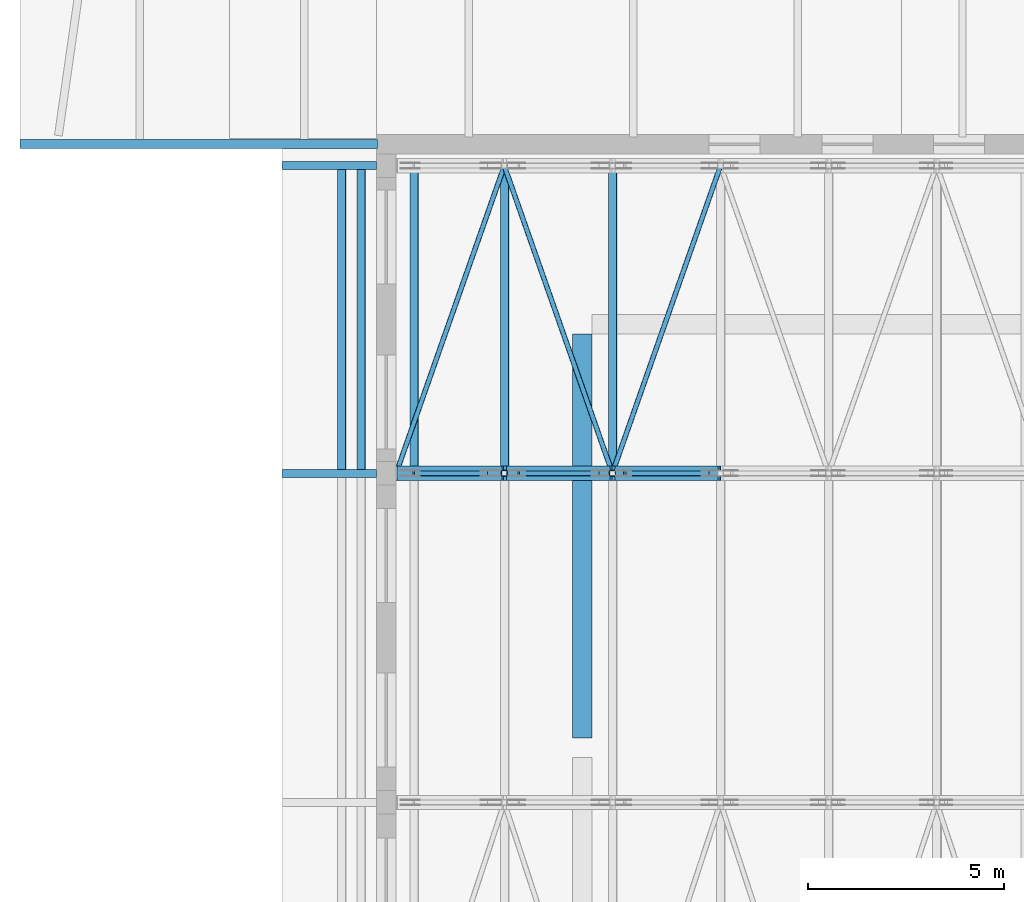
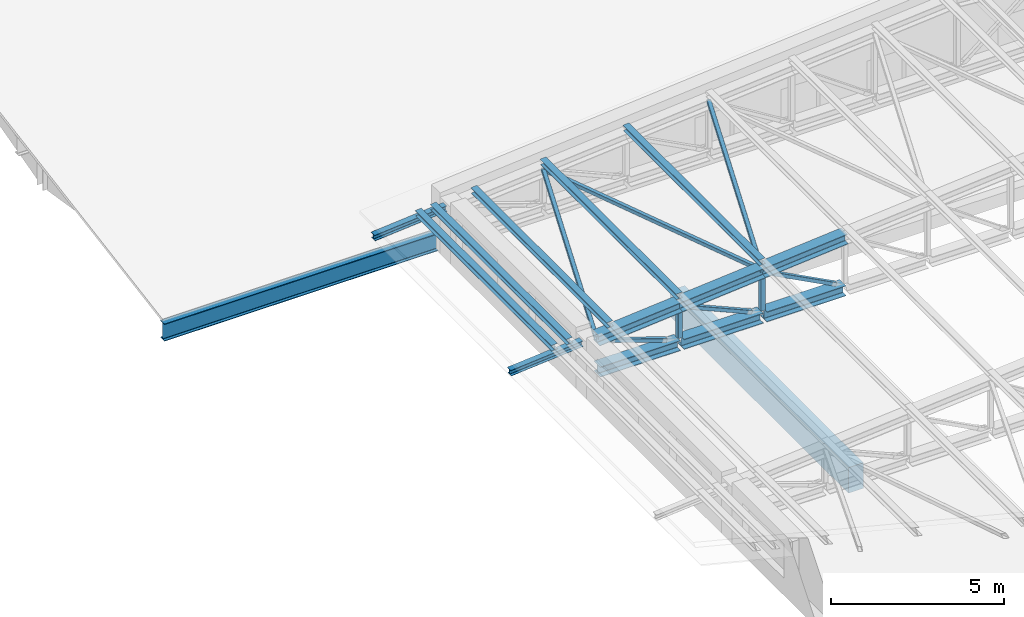
# One storey, part 16 of 60: 21 members, 2 beams.
"""IFC4 building model written with IfcOpenShell, lengths in metres."""

from ifc_helpers import new_model, si_unit, direction, frame, origin, origin_2d, place, context, subcontext, project, spatial, rectangle, hollow_rectangle, i_section, extrude, material, material_profile, profile_set, type_object, element, save


model = new_model("IFC4")

# Units and contexts
model_context = context("Model", 3, precision=1e-05, world=origin(), true_north=direction((0.0, 1.0)))
body_context = subcontext(model_context, "Body", "Model", "MODEL_VIEW")
ifc_project = project(units=[si_unit("LENGTHUNIT", "METRE"), si_unit("AREAUNIT", "SQUARE_METRE"), si_unit("VOLUMEUNIT", "CUBIC_METRE"), si_unit("PLANEANGLEUNIT", "RADIAN"), si_unit("MASSUNIT", "GRAM", prefix="KILO")], contexts=[model_context])

# Site, building, storey
site_placement = place(None, origin())
site = spatial("IfcSite", under=ifc_project, at=site_placement, CompositionType="ELEMENT")
building_placement = place(site_placement, origin())
building = spatial("IfcBuilding", under=site, at=building_placement, Name="Ljudholm Concert House", CompositionType="ELEMENT")
storey_placement = place(building_placement, frame((0.0, 0.0, 15.0)))
storey = spatial("IfcBuildingStorey", under=building, at=storey_placement, Name="L03", CompositionType="ELEMENT", Elevation=15.0)

# Beams
ifc_material_1 = material(Name="Concrete 6,500 psi", Category="concrete")
ifc_material_profile_1 = material_profile(ifc_material_1, rectangle(XDim=0.5, YDim=0.89990234375, at=origin_2d()), Name="RC BEAM 500x900")
ifc_profile_set_1 = profile_set([ifc_material_profile_1], Name="Concrete 6,500 psi")
beam_type_1 = type_object("IfcBeamType", Name="RC BEAM 500x900", PredefinedType="BEAM", material=ifc_profile_set_1)
beam_1_placement = place(storey_placement, frame((17.39990234375, 30.85009765625, -0.699951171875), z_axis=(0.0, 1.0, 0.0), x_axis=(-1.0, 0.0, 0.0)))
element("IfcBeam", 1, at=beam_1_placement, inside=storey, type_object=beam_type_1, Name="Ring beam", PredefinedType="BEAM", context=body_context, shape_type="SweptSolid", body=[
    extrude(rectangle(XDim=0.5, YDim=0.89990234375, at=origin_2d()), origin(), (0.0, 0.0, 1.0), 10.2998046875),
])
ifc_material_2 = material(Name="Steel ASTM A992", Category="steel")
ifc_material_profile_2 = material_profile(ifc_material_2, i_section(OverallWidth=0.22900390625, OverallDepth=0.612060546875, WebThickness=0.011962890625, FlangeThickness=0.01953125, FilletRadius=0.0126953125, at=origin_2d()), Name="W24X84")
ifc_profile_set_2 = profile_set([ifc_material_profile_2], Name="Steel ASTM A992")
beam_type_2 = type_object("IfcBeamType", Name="STEEL BEAM W24X84", PredefinedType="BEAM", material=ifc_profile_set_2)
beam_2_placement = place(storey_placement, frame((3.050048828125, 46.0, 0.324462890625), z_axis=(1.0, 0.0, 0.0), x_axis=(0.0, 1.0, 0.0)))
element("IfcBeam", 2, at=beam_2_placement, inside=storey, type_object=beam_type_2, Name="Roof girder", PredefinedType="BEAM", context=body_context, shape_type="SweptSolid", body=[
    extrude(i_section(OverallWidth=0.22900390625, OverallDepth=0.612060546875, WebThickness=0.011962890625, FlangeThickness=0.01953125, FilletRadius=0.0126953125, at=origin_2d()), origin(), (0.0, 0.0, 1.0), 9.125),
])

# Members
ifc_material_3 = material(Name="Steel ASTM A500 Gr. C", Category="steel")
ifc_material_profile_3 = material_profile(ifc_material_3, hollow_rectangle(XDim=0.126953125, YDim=0.126953125, WallThickness=0.00732421875, InnerFilletRadius=0.003662109375, OuterFilletRadius=0.010986328125, at=origin_2d()), Name="HSS5X5X5/16")
ifc_profile_set_3 = profile_set([ifc_material_profile_3], Name="Steel ASTM A500 Gr. C")
member_type_1 = type_object("IfcMemberType", Name="STEEL MEMBER HSS5X5X5/16 BRACE", PredefinedType="BRACE", material=ifc_profile_set_3)
member_1_placement = place(storey_placement, frame((13.093994140625, 37.60009765625, 1.58447265625), z_axis=(0.945096021447, 0.0, -0.326792763453), x_axis=(0.0, 1.0, 0.0)))
element("IfcMember", 3, at=member_1_placement, inside=storey, type_object=member_type_1, Name="Roof truss T5 diagonal", PredefinedType="BRACE", context=body_context, shape_type="SweptSolid", body=[
    extrude(hollow_rectangle(XDim=0.126953125, YDim=0.126953125, WallThickness=0.00732421875, InnerFilletRadius=0.003662109375, OuterFilletRadius=0.010986328125, at=origin_2d()), origin(), (0.0, 0.0, 1.0), 1.97900390625),
])
member_2_placement = place(storey_placement, frame((15.777099609375, 37.60009765625, 1.816650390625), z_axis=(0.916733409918, 0.0, -0.399499505808), x_axis=(0.0, 1.0, 0.0)))
element("IfcMember", 4, at=member_2_placement, inside=storey, type_object=member_type_1, Name="Roof truss T5 diagonal", PredefinedType="BRACE", context=body_context, shape_type="SweptSolid", body=[
    extrude(hollow_rectangle(XDim=0.126953125, YDim=0.126953125, WallThickness=0.00732421875, InnerFilletRadius=0.003662109375, OuterFilletRadius=0.010986328125, at=origin_2d()), origin(), (0.0, 0.0, 1.0), 2.204345703125),
])
member_3_placement = place(storey_placement, frame((18.48583984375, 37.60009765625, 2.050048828125), z_axis=(0.884876217226, 0.0, -0.465826233898), x_axis=(0.0, 1.0, 0.0)))
element("IfcMember", 5, at=member_3_placement, inside=storey, type_object=member_type_1, Name="Roof truss T5 diagonal", PredefinedType="BRACE", context=body_context, shape_type="SweptSolid", body=[
    extrude(hollow_rectangle(XDim=0.126953125, YDim=0.126953125, WallThickness=0.00732421875, InnerFilletRadius=0.003662109375, OuterFilletRadius=0.010986328125, at=origin_2d()), origin(), (0.0, 0.0, 1.0), 2.395751953125),
])
member_4_placement = place(storey_placement, frame((12.64990234375, 37.60546875, 1.800048828125), z_axis=(0.331820868413, 0.942924545801, 0.028075117285), x_axis=(-0.943296377948, 0.331951718402, 0.0)))
element("IfcMember", 6, at=member_4_placement, inside=storey, type_object=member_type_1, Name="Roof bracing", PredefinedType="BRACE", context=body_context, shape_type="SweptSolid", body=[
    extrude(hollow_rectangle(XDim=0.126953125, YDim=0.126953125, WallThickness=0.00732421875, InnerFilletRadius=0.003662109375, OuterFilletRadius=0.010986328125, at=origin_2d()), origin(), (0.0, 0.0, 1.0), 8.3134765625),
])
for number, where, z_axis, x_axis, name in (
    (7, (15.408447265625, 45.4443359375, 2.033447265625), (0.331795007664, -0.942934511072, 0.028046046408), (0.943305577044, 0.331925576474, 0.0), "Roof bracing"),
    (8, (18.166748046875, 37.60546875, 2.2666015625), (0.33179473424, 0.942933734023, 0.02807539086), (-0.943305577044, 0.331925576474, 0.0), "Roof bracing"),
):
    element("IfcMember", number, at=place(storey_placement, frame(where, z_axis=z_axis, x_axis=x_axis)), inside=storey, type_object=member_type_1, Name=name, PredefinedType="BRACE", context=body_context, shape_type="SweptSolid", body=[
        extrude(hollow_rectangle(XDim=0.126953125, YDim=0.126953125, WallThickness=0.00732421875, InnerFilletRadius=0.003662109375, OuterFilletRadius=0.010986328125, at=origin_2d()), origin(), (0.0, 0.0, 1.0), 8.313232421875),
    ])
ifc_material_4 = material(Name="Steel ASTM A500 Gr. C", Category="steel")
ifc_material_profile_4 = material_profile(ifc_material_4, hollow_rectangle(XDim=0.15234375, YDim=0.15234375, WallThickness=0.0087890625, InnerFilletRadius=0.00439453125, OuterFilletRadius=0.01318359375, at=origin_2d()), Name="HSS6X6X3/8")
ifc_profile_set_4 = profile_set([ifc_material_profile_4], Name="Steel ASTM A500 Gr. C")
member_type_2 = type_object("IfcMemberType", Name="STEEL MEMBER HSS6X6X3/8 POST", PredefinedType="POST", material=ifc_profile_set_4)
member_5_placement = place(storey_placement, frame((15.408447265625, 37.60009765625, 0.877685546875), z_axis=(0.0, 0.0, 1.0), x_axis=(1.0, 0.0, 0.0)))
element("IfcMember", 9, at=member_5_placement, inside=storey, type_object=member_type_2, Name="Roof truss T5 post", PredefinedType="POST", context=body_context, shape_type="SweptSolid", body=[
    extrude(hollow_rectangle(XDim=0.15234375, YDim=0.15234375, WallThickness=0.0087890625, InnerFilletRadius=0.00439453125, OuterFilletRadius=0.01318359375, at=origin_2d()), origin(), (0.0, 0.0, 1.0), 0.977294921875),
])
member_6_placement = place(storey_placement, frame((18.166748046875, 37.60009765625, 0.877685546875), z_axis=(0.0, 0.0, 1.0), x_axis=(1.0, 0.0, 0.0)))
element("IfcMember", 10, at=member_6_placement, inside=storey, type_object=member_type_2, Name="Roof truss T5 post", PredefinedType="POST", context=body_context, shape_type="SweptSolid", body=[
    extrude(hollow_rectangle(XDim=0.15234375, YDim=0.15234375, WallThickness=0.0087890625, InnerFilletRadius=0.00439453125, OuterFilletRadius=0.01318359375, at=origin_2d()), origin(), (0.0, 0.0, 1.0), 1.21044921875),
])
ifc_material_5 = material(Name="Steel ASTM A992", Category="steel")
ifc_material_profile_5 = material_profile(ifc_material_5, i_section(OverallWidth=0.368408203125, OverallDepth=0.355712890625, WebThickness=0.01123046875, FlangeThickness=0.01806640625, FilletRadius=0.01513671875, at=origin_2d()), Name="W14X90")
ifc_profile_set_5 = profile_set([ifc_material_profile_5], Name="Steel ASTM A992")
member_type_3 = type_object("IfcMemberType", Name="STEEL MEMBER W14X90 CHORD", PredefinedType="CHORD", material=ifc_profile_set_5)
member_7_placement = place(storey_placement, frame((12.64990234375, 37.60009765625, 1.800048828125), z_axis=(0.996439740606, 0.0, 0.084308026553), x_axis=(0.0, 1.0, 0.0)))
element("IfcMember", 11, at=member_7_placement, inside=storey, type_object=member_type_3, Name="Roof truss T5 top chord", PredefinedType="CHORD", context=body_context, shape_type="SweptSolid", body=[
    extrude(i_section(OverallWidth=0.368408203125, OverallDepth=0.355712890625, WebThickness=0.01123046875, FlangeThickness=0.01806640625, FilletRadius=0.01513671875, at=origin_2d()), origin(), (0.0, 0.0, 1.0), 2.768310546875),
])
member_8_placement = place(storey_placement, frame((12.679931640625, 37.60009765625, 0.699951171875), z_axis=(1.0, 0.0, 0.0), x_axis=(0.0, 1.0, 0.0)))
element("IfcMember", 12, at=member_8_placement, inside=storey, type_object=member_type_3, Name="Roof truss T5 bottom chord", PredefinedType="CHORD", context=body_context, shape_type="SweptSolid", body=[
    extrude(i_section(OverallWidth=0.368408203125, OverallDepth=0.355712890625, WebThickness=0.01123046875, FlangeThickness=0.01806640625, FilletRadius=0.01513671875, at=origin_2d()), origin(), (0.0, 0.0, 1.0), 2.66650390625),
])
member_9_placement = place(storey_placement, frame((15.408447265625, 37.60009765625, 2.033447265625), z_axis=(0.996446519711, 0.0, 0.084227865669), x_axis=(0.0, 1.0, 0.0)))
element("IfcMember", 13, at=member_9_placement, inside=storey, type_object=member_type_3, Name="Roof truss T5 top chord", PredefinedType="CHORD", context=body_context, shape_type="SweptSolid", body=[
    extrude(i_section(OverallWidth=0.368408203125, OverallDepth=0.355712890625, WebThickness=0.01123046875, FlangeThickness=0.01806640625, FilletRadius=0.01513671875, at=origin_2d()), origin(), (0.0, 0.0, 1.0), 2.76806640625),
])
member_10_placement = place(storey_placement, frame((15.47021484375, 37.60009765625, 0.699951171875), z_axis=(1.0, 0.0, 0.0), x_axis=(0.0, 1.0, 0.0)))
element("IfcMember", 14, at=member_10_placement, inside=storey, type_object=member_type_3, Name="Roof truss T5 bottom chord", PredefinedType="CHORD", context=body_context, shape_type="SweptSolid", body=[
    extrude(i_section(OverallWidth=0.368408203125, OverallDepth=0.355712890625, WebThickness=0.01123046875, FlangeThickness=0.01806640625, FilletRadius=0.01513671875, at=origin_2d()), origin(), (0.0, 0.0, 1.0), 2.634521484375),
])
member_11_placement = place(storey_placement, frame((18.166748046875, 37.60009765625, 2.2666015625), z_axis=(0.996439113695, 0.0, 0.084315435714), x_axis=(0.0, 1.0, 0.0)))
element("IfcMember", 15, at=member_11_placement, inside=storey, type_object=member_type_3, Name="Roof truss T5 top chord", PredefinedType="CHORD", context=body_context, shape_type="SweptSolid", body=[
    extrude(i_section(OverallWidth=0.368408203125, OverallDepth=0.355712890625, WebThickness=0.01123046875, FlangeThickness=0.01806640625, FilletRadius=0.01513671875, at=origin_2d()), origin(), (0.0, 0.0, 1.0), 2.76806640625),
])
member_12_placement = place(storey_placement, frame((18.228759765625, 37.60009765625, 0.699951171875), z_axis=(1.0, 0.0, 0.0), x_axis=(0.0, 1.0, 0.0)))
element("IfcMember", 16, at=member_12_placement, inside=storey, type_object=member_type_3, Name="Roof truss T5 bottom chord", PredefinedType="CHORD", context=body_context, shape_type="SweptSolid", body=[
    extrude(i_section(OverallWidth=0.368408203125, OverallDepth=0.355712890625, WebThickness=0.01123046875, FlangeThickness=0.01806640625, FilletRadius=0.01513671875, at=origin_2d()), origin(), (0.0, 0.0, 1.0), 2.63427734375),
])
ifc_material_6 = material(Name="Steel ASTM A992", Category="steel")
ifc_material_profile_6 = material_profile(ifc_material_6, i_section(OverallWidth=0.203125, OverallDepth=0.203125, WebThickness=0.00732421875, FlangeThickness=0.010986328125, FilletRadius=0.010009765625, at=origin_2d()), Name="W8X31")
ifc_profile_set_6 = profile_set([ifc_material_profile_6], Name="Steel ASTM A992")
member_type_4 = type_object("IfcMemberType", Name="STEEL MEMBER W8X31 PURLIN", PredefinedType="PURLIN", material=ifc_profile_set_6)
for number, where, z_axis, x_axis, name in (
    (17, (13.108642578125, 37.60009765625, 2.119140625), (0.0, 1.0, 0.0), (-0.996441172925, 0.0, -0.084291096202), "Purlin"),
    (18, (15.4169921875, 37.60009765625, 2.314453125), (0.0, 1.0, 0.0), (-0.996441172925, 0.0, -0.084291096202), "Purlin"),
    (19, (18.17529296875, 37.60009765625, 2.5478515625), (0.0, 1.0, 0.0), (-0.996441172925, 0.0, -0.084291096202), "Purlin"),
    (20, (11.758544921875, 37.60009765625, 2.0048828125), (0.0, 1.0, 0.0), (-0.996441172925, 0.0, -0.084291096202), "Purlin"),
    (21, (11.258544921875, 37.60009765625, 1.962646484375), (0.0, 1.0, 0.0), (-0.996441172925, 0.0, -0.084291096202), "Purlin"),
):
    element("IfcMember", number, at=place(storey_placement, frame(where, z_axis=z_axis, x_axis=x_axis)), inside=storey, type_object=member_type_4, Name=name, PredefinedType="PURLIN", context=body_context, shape_type="SweptSolid", body=[
        extrude(i_section(OverallWidth=0.203125, OverallDepth=0.203125, WebThickness=0.00732421875, FlangeThickness=0.010986328125, FilletRadius=0.010009765625, at=origin_2d()), origin(), (0.0, 0.0, 1.0), 7.849853515625),
    ])
ifc_material_7 = material(Name="Steel ASTM A992", Category="steel")
ifc_material_profile_7 = material_profile(ifc_material_7, i_section(OverallWidth=0.203125, OverallDepth=0.203125, WebThickness=0.00732421875, FlangeThickness=0.010986328125, FilletRadius=0.010009765625, at=origin_2d()), Name="W8X31")
ifc_profile_set_7 = profile_set([ifc_material_profile_7], Name="Steel ASTM A992")
member_type_5 = type_object("IfcMemberType", Name="STEEL MEMBER W8X31 RAFTER", PredefinedType="RAFTER", material=ifc_profile_set_7)
for number, where, z_axis, x_axis, name in (
    (22, (9.75, 37.60009765625, 1.631103515625), (0.996437262136, 0.0, 0.084337314557), (0.0, 1.0, 0.0), "Eave rafter tail"),
    (23, (9.75, 45.449951171875, 1.631103515625), (0.996437262136, 0.0, 0.084337314557), (0.0, 1.0, 0.0), "Eave rafter tail"),
):
    element("IfcMember", number, at=place(storey_placement, frame(where, z_axis=z_axis, x_axis=x_axis)), inside=storey, type_object=member_type_5, Name=name, PredefinedType="RAFTER", context=body_context, shape_type="SweptSolid", body=[
        extrude(i_section(OverallWidth=0.203125, OverallDepth=0.203125, WebThickness=0.00732421875, FlangeThickness=0.010986328125, FilletRadius=0.010009765625, at=origin_2d()), origin(), (0.0, 0.0, 1.0), 2.408447265625),
    ])

save(model, "model.ifc")
